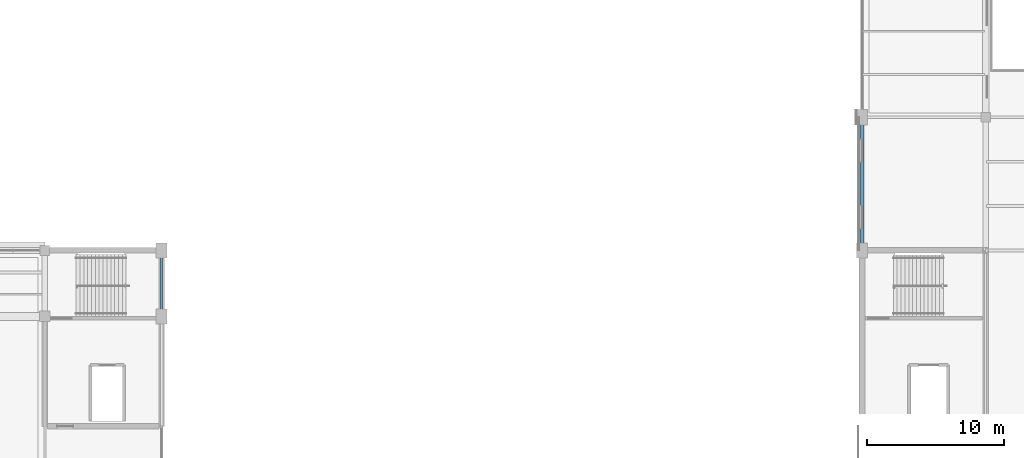
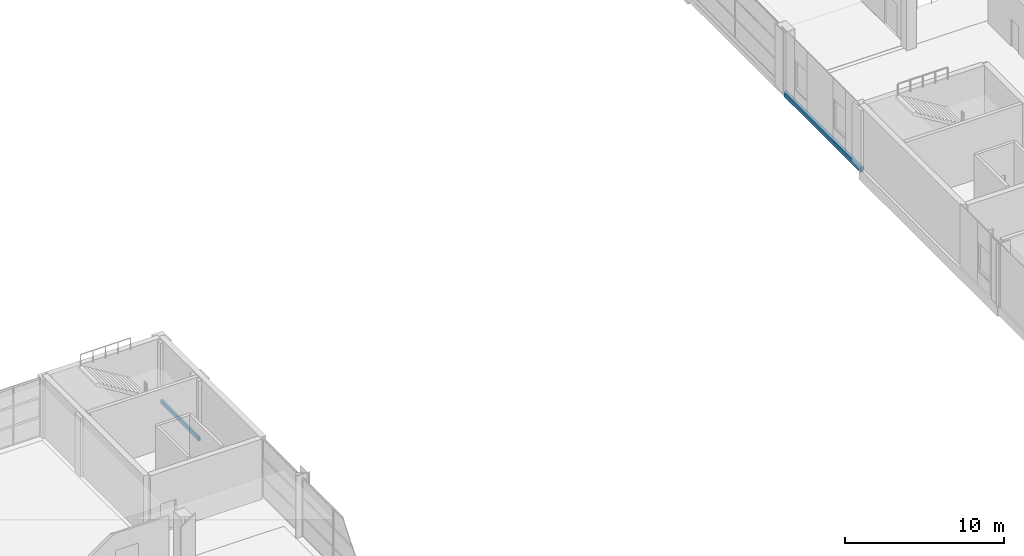
# One storey, part 32 of 112: 2 beams.
"""IFC4 building model written with IfcOpenShell, lengths in metres."""

from ifc_helpers import new_model, si_unit, direction, frame, origin, origin_2d, place, context, subcontext, project, spatial, hollow_rectangle, extrude, material, material_profile, profile_set, type_object, element, save


model = new_model("IFC4")

# Units and contexts
model_context = context("Model", 3, precision=1e-05, world=origin(), true_north=direction((0.0, 1.0)))
body_context = subcontext(model_context, "Body", "Model", "MODEL_VIEW")
ifc_project = project(units=[si_unit("LENGTHUNIT", "METRE"), si_unit("AREAUNIT", "SQUARE_METRE"), si_unit("VOLUMEUNIT", "CUBIC_METRE"), si_unit("PLANEANGLEUNIT", "RADIAN"), si_unit("MASSUNIT", "GRAM", prefix="KILO")], contexts=[model_context])

# Site, building, storey
site_placement = place(None, origin())
site = spatial("IfcSite", under=ifc_project, at=site_placement, CompositionType="ELEMENT")
building_placement = place(site_placement, origin())
building = spatial("IfcBuilding", under=site, at=building_placement, Name="Solvikara Media Centre", CompositionType="ELEMENT")
storey_placement = place(building_placement, frame((0.0, 0.0, 5.39990234375)))
storey = spatial("IfcBuildingStorey", under=building, at=storey_placement, Name="L01", CompositionType="ELEMENT", Elevation=5.39990234375)

# Beams
ifc_material = material(Name="Steel S355JR", Category="steel")
ifc_material_profile_1 = material_profile(ifc_material, hollow_rectangle(XDim=0.199951171875, YDim=0.39990234375, WallThickness=0.011962890625, at=origin_2d()), Name="RHS 400x200x12")
ifc_profile_set_1 = profile_set([ifc_material_profile_1], Name="Steel S355JR")
beam_type_1 = type_object("IfcBeamType", Name="BM-33", PredefinedType="SPANDREL", material=ifc_profile_set_1)
beam_1_placement = place(storey_placement, frame((127.5, 36.800048828125, -0.44189453125), z_axis=(0.0, 1.0, 0.0), x_axis=(-1.0, 0.0, 0.0)))
element("IfcBeam", 1, at=beam_1_placement, inside=storey, type_object=beam_type_1, Name="B-L01-Y0603", PredefinedType="SPANDREL", context=body_context, shape_type="SweptSolid", body=[
    extrude(hollow_rectangle(XDim=0.199951171875, YDim=0.39990234375, WallThickness=0.011962890625, at=origin_2d()), origin(), (0.0, 0.0, 1.0), 9.699951171875),
])
ifc_material_profile_2 = material_profile(ifc_material, hollow_rectangle(XDim=0.14990234375, YDim=0.300048828125, WallThickness=0.010009765625, at=origin_2d()), Name="RHS 300x150x10")
ifc_profile_set_2 = profile_set([ifc_material_profile_2], Name="Steel S355JR")
beam_type_2 = type_object("IfcBeamType", Name="BM-35", PredefinedType="BEAM", material=ifc_profile_set_2)
beam_2_placement = place(storey_placement, frame((76.5, 32.0, -0.411865234375), z_axis=(0.0, 1.0, 0.0), x_axis=(-1.0, 0.0, 0.0)))
element("IfcBeam", 2, at=beam_2_placement, inside=storey, type_object=beam_type_2, Name="B-L01-Y0599", PredefinedType="BEAM", context=body_context, shape_type="SweptSolid", body=[
    extrude(hollow_rectangle(XDim=0.14990234375, YDim=0.300048828125, WallThickness=0.010009765625, at=origin_2d()), origin(), (0.0, 0.0, 1.0), 4.800048828125),
])

save(model, "model.ifc")
